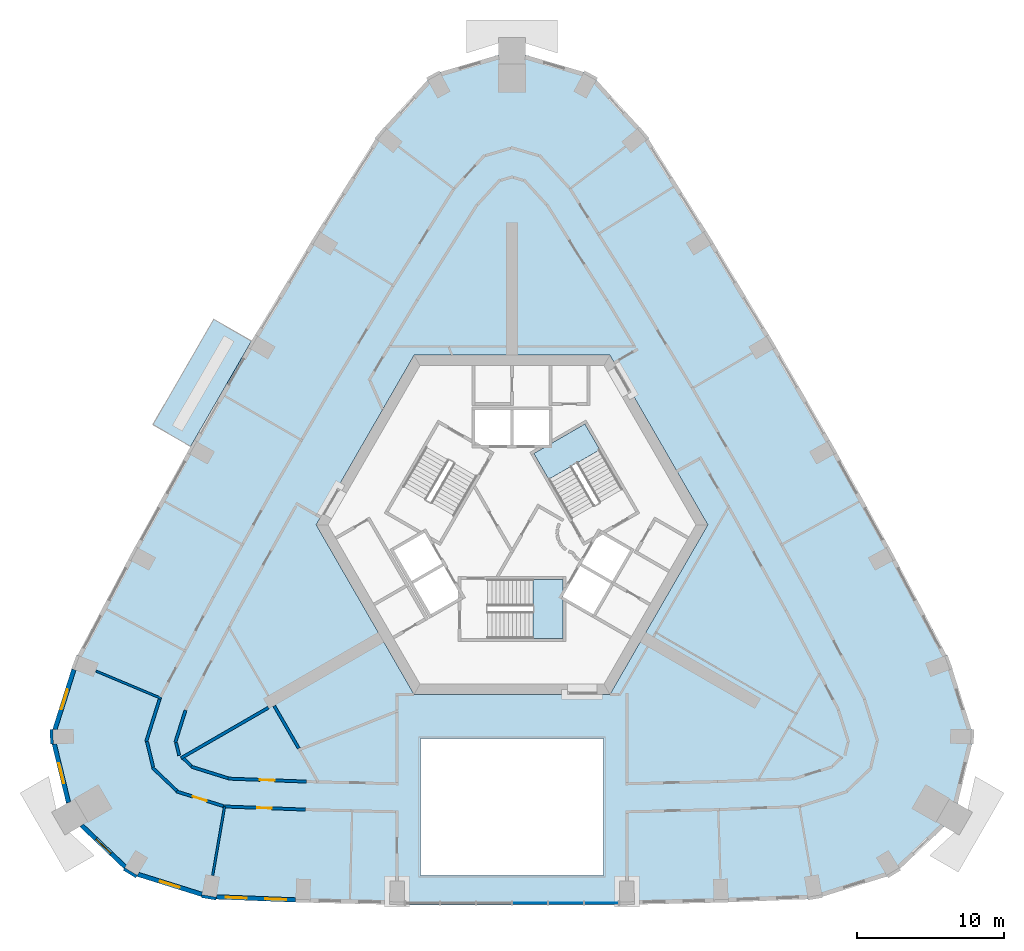
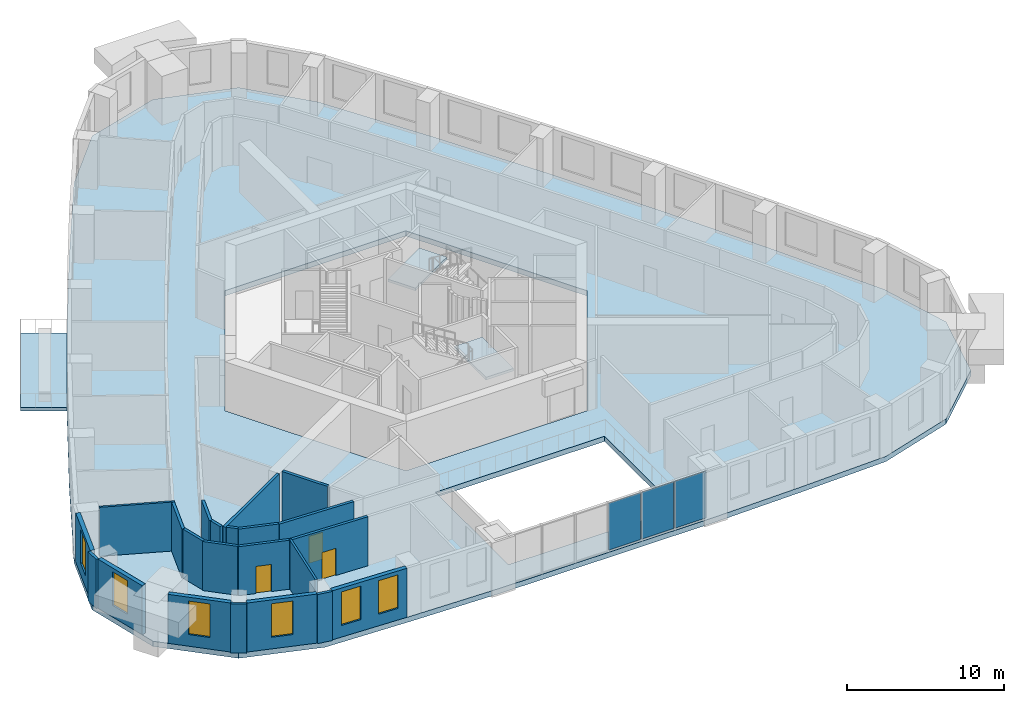
# One storey, part 3 of 13: 22 walls, 6 windows, 4 slabs, 3 doors, 3 plates, 9 openings, 3 elements without a shape of their own.
"""IFC4 building model written with IfcOpenShell, lengths in metres."""

from ifc_helpers import new_model, si_unit, direction, frame, frame_2d, origin, origin_2d, place, context, subcontext, project, spatial, polyline, rectangle, outline, extrude, material, layer, layer_set, type_object, element, fill, aggregate, save


model = new_model("IFC4")

# Units and contexts
model_context = context("Model", 3, precision=1e-05, world=origin(), true_north=direction((0.0, 1.0)))
body_context = subcontext(model_context, "Body", "Model", "MODEL_VIEW")
ifc_project = project(units=[si_unit("LENGTHUNIT", "METRE"), si_unit("AREAUNIT", "SQUARE_METRE"), si_unit("VOLUMEUNIT", "CUBIC_METRE"), si_unit("PLANEANGLEUNIT", "RADIAN"), si_unit("MASSUNIT", "GRAM", prefix="KILO")], contexts=[model_context])

# Site, building, storey
site_placement = place(None, origin())
site = spatial("IfcSite", under=ifc_project, at=site_placement, CompositionType="ELEMENT")
building_placement = place(site_placement, origin())
building = spatial("IfcBuilding", under=site, at=building_placement, Name="Entoto Arch Interchange Tower", CompositionType="ELEMENT")
storey_placement = place(building_placement, frame((0.0, 0.0, 223.39990234375)))
storey = spatial("IfcBuildingStorey", under=building, at=storey_placement, Name="L50", CompositionType="ELEMENT", Elevation=223.39990234375)

# Slab
ifc_material_1 = material(Name="Board-marked precast concrete C50/60", Category="concrete")
ifc_layer_1 = layer(ifc_material_1, 0.25)
ifc_layer_set_1 = layer_set([ifc_layer_1], Name="Board-marked precast concrete C50/60")
slab_type_1 = type_object("IfcSlabType", Name="BALCONY DECK PRECAST 250", PredefinedType="FLOOR", material=ifc_layer_set_1)
slab_1_placement = place(storey_placement, frame((0.0, 0.0, -0.25)))
element("IfcSlab", 1, at=slab_1_placement, inside=storey, type_object=slab_type_1, Name="Planted balcony NW-03 L50", PredefinedType="FLOOR", context=body_context, shape_type="SweptSolid", body=[
    extrude(outline(polyline([(-17.6669921875, 14.9619140625), (-21.791015625, 7.819091796875), (-24.345947265625, 9.2939453125), (-20.221923828125, 16.43701171875), (-17.6669921875, 14.9619140625)])), origin(), (0.0, 0.0, 1.0), 0.25),
])

# Stair, slab
ifc_material_2 = material(Name="Concrete C40/50", Category="concrete")
stair_type = type_object("IfcStairType", Name="EXIT STAIR RC 1800", PredefinedType="HALF_TURN_STAIR", material=ifc_material_2)
stair_1_placement = place(storey_placement, origin())
stair_1 = element("IfcStair", 2, at=stair_1_placement, inside=storey, type_object=stair_type, Name="L50 Exit stair S", PredefinedType="HALF_TURN_STAIR")
ifc_layer_2 = layer(ifc_material_2, 0.199951171875)
ifc_layer_set_2 = layer_set([ifc_layer_2], Name="Concrete C40/50")
slab_type_2 = type_object("IfcSlabType", Name="EXIT STAIR LANDING RC 200", PredefinedType="LANDING", material=ifc_layer_set_2)
slab_2_placement = place(storey_placement, frame((0.0, 0.0, 1.900146484375)))
slab_2 = element("IfcSlab", 3, at=slab_2_placement, type_object=slab_type_2, Name="ST-S landing 1", PredefinedType="LANDING", context=body_context, shape_type="SweptSolid", body=[
    extrude(outline(polyline([(1.429931640625, -5.199951171875), (3.449951171875, -5.199951171875), (3.449951171875, -1.199951171875), (1.429931640625, -1.199951171875), (1.429931640625, -5.199951171875)])), origin(), (0.0, 0.0, 1.0), 0.199951171875),
])
aggregate(stair_1, [slab_2])

stair_2_placement = place(storey_placement, origin())
stair_2 = element("IfcStair", 4, at=stair_2_placement, inside=storey, type_object=stair_type, Name="L50 Exit stair NE", PredefinedType="HALF_TURN_STAIR")
slab_3_placement = place(storey_placement, frame((0.0, 0.0, 1.900146484375)))
slab_3 = element("IfcSlab", 5, at=slab_3_placement, type_object=slab_type_2, Name="ST-NE landing 1", PredefinedType="LANDING", context=body_context, shape_type="SweptSolid", body=[
    extrude(outline(polyline([(5.953369140625, 7.58837890625), (4.943359375, 9.337890625), (1.479248046875, 7.337890625), (2.4892578125, 5.58837890625), (5.953369140625, 7.58837890625)])), origin(), (0.0, 0.0, 1.0), 0.199951171875),
])
aggregate(stair_2, [slab_3])

# Curtain wall, plates
ifc_material_3 = material(Name="Aluminium, anodised", Category="aluminium")
curtain_wall_type = type_object("IfcCurtainWallType", Name="CURTAIN WALL ATRIUM", PredefinedType="NOTDEFINED", material=ifc_material_3)
curtain_wall_placement = place(storey_placement, origin())
curtain_wall = element("IfcCurtainWall", 6, at=curtain_wall_placement, inside=storey, type_object=curtain_wall_type, Name="Atrium glazing S-03 L50", PredefinedType="NOTDEFINED")
ifc_material_4 = material(Name="Clear glass, low-e double glazed", Category="glass")
ifc_layer_3 = layer(ifc_material_4, 0.031982421875)
ifc_layer_set_3 = layer_set([ifc_layer_3], Name="Clear glass, low-e double glazed")
plate_type = type_object("IfcPlateType", Name="GLAZING PANEL ATRIUM 32", PredefinedType="CURTAIN_PANEL", material=ifc_layer_set_3)
plate_1_placement = place(storey_placement, frame((1.216552734375, -23.135986328125, 0.080078125), z_axis=(0.0, 0.0, 1.0), x_axis=(1.0, 0.0, 0.0)))
plate_1 = element("IfcPlate", 7, at=plate_1_placement, type_object=plate_type, Name="CWA panel 4.1", PredefinedType="CURTAIN_PANEL", context=body_context, shape_type="SweptSolid", body=[
    extrude(rectangle(XDim=2.3330078125, YDim=0.031982421875, at=origin_2d()), origin(), (0.0, 0.0, 1.0), 3.639892578125),
])
plate_2_placement = place(storey_placement, frame((3.6494140625, -23.135986328125, 0.080078125), z_axis=(0.0, 0.0, 1.0), x_axis=(1.0, 0.0, 0.0)))
plate_2 = element("IfcPlate", 8, at=plate_2_placement, type_object=plate_type, Name="CWA panel 5.1", PredefinedType="CURTAIN_PANEL", context=body_context, shape_type="SweptSolid", body=[
    extrude(rectangle(XDim=2.3330078125, YDim=0.031982421875, at=origin_2d()), origin(), (0.0, 0.0, 1.0), 3.639892578125),
])
plate_3_placement = place(storey_placement, frame((6.0576171875, -23.135986328125, 0.080078125), z_axis=(0.0, 0.0, 1.0), x_axis=(1.0, 0.0, 0.0)))
plate_3 = element("IfcPlate", 9, at=plate_3_placement, type_object=plate_type, Name="CWA panel 6.1", PredefinedType="CURTAIN_PANEL", context=body_context, shape_type="SweptSolid", body=[
    extrude(rectangle(XDim=2.282958984375, YDim=0.031982421875, at=origin_2d()), origin(), (0.0, 0.0, 1.0), 3.639892578125),
])
aggregate(curtain_wall, [plate_1, plate_2, plate_3])

# Slab
ifc_layer_4 = layer(ifc_material_2, 0.39990234375)
ifc_layer_set_4 = layer_set([ifc_layer_4], Name="Concrete C40/50")
slab_type_3 = type_object("IfcSlabType", Name="Post-tensioned flat plate 400 C40/50", PredefinedType="FLOOR", material=ifc_layer_set_4)
slab_4_placement = place(storey_placement, frame((0.0, 0.0, -0.39990234375)))
element("IfcSlab", 10, at=slab_4_placement, inside=storey, type_object=slab_type_3, Name="Floor slab L50", PredefinedType="FLOOR", context=body_context, shape_type="SweptSolid", body=[
    extrude(outline(polyline([(-20.569091796875, -22.862060546875), (-14.18505859375, -23.10693359375), (-7.800048828125, -23.260986328125), (7.800048828125, -23.260986328125), (14.18505859375, -23.10693359375), (20.569091796875, -22.862060546875), (25.93798828125, -21.179931640625), (29.991943359375, -17.31591796875), (31.31201171875, -11.873046875), (29.699951171875, -6.7880859375), (25.784912109375, 0.60205078125), (21.791015625, 7.819091796875), (17.6669921875, 14.9619140625), (13.4140625, 22.030029296875), (8.970947265625, 29.114990234375), (5.373046875, 33.052978515625), (0.0, 34.632080078125), (-5.373046875, 33.052978515625), (-8.970947265625, 29.114990234375), (-13.4140625, 22.030029296875), (-17.6669921875, 14.9619140625), (-21.791015625, 7.819091796875), (-25.784912109375, 0.60205078125), (-29.699951171875, -6.7880859375), (-31.31201171875, -11.873046875), (-29.991943359375, -17.31591796875), (-25.93798828125, -21.179931640625), (-20.569091796875, -22.862060546875)]), holes=[polyline([(6.199951171875, -21.260986328125), (6.199951171875, -12.0), (-6.199951171875, -12.0), (-6.199951171875, -21.260986328125), (6.199951171875, -21.260986328125)]), polyline([(13.279052734375, 2.5), (6.639892578125, 14.0), (-6.639892578125, 14.0), (-13.279052734375, 2.5), (-6.639892578125, -9.0), (6.639892578125, -9.0), (13.279052734375, 2.5)])]), origin(), (0.0, 0.0, 1.0), 0.39990234375),
])

# Walls
ifc_material_5 = material(Name="Gypsum board partition on steel studs", Category="steel")
ifc_layer_5 = layer(ifc_material_5, 0.14990234375)
ifc_layer_set_5 = layer_set([ifc_layer_5], Name="Gypsum board partition on steel studs")
wall_type_1 = type_object("IfcWallType", Name="PARTITION 150", PredefinedType="PARTITIONING", material=ifc_layer_set_5)
wall_1_placement = place(storey_placement, frame((-23.77392578125, -9.27294921875, 0.0), z_axis=(0.0, 0.0, 1.0), x_axis=(-0.922217762148, 0.386670918454, 0.0)))
element("IfcWall", 11, at=wall_1_placement, inside=storey, type_object=wall_type_1, Name="wall:L50:p128", PredefinedType="PARTITIONING", context=body_context, shape_type="SweptSolid", body=[
    extrude(rectangle(XDim=4.804931640625, YDim=0.14990234375, at=frame_2d((2.40234375, 0.0))), origin(), (0.0, 0.0, 1.0), 3.800048828125),
])
wall_2_placement = place(storey_placement, frame((-19.488037109375, -16.59912109375, 0.0), z_axis=(0.0, 0.0, 1.0), x_axis=(-0.169963884325, -0.985450292011, 0.0)))
element("IfcWall", 12, at=wall_2_placement, inside=storey, type_object=wall_type_1, Name="wall:L50:p129", PredefinedType="PARTITIONING", context=body_context, shape_type="SweptSolid", body=[
    extrude(rectangle(XDim=4.73583984375, YDim=0.14990234375, at=frame_2d((2.367919921875, 0.0))), origin(), (0.0, 0.0, 1.0), 3.800048828125),
])
ifc_layer_6 = layer(ifc_material_5, 0.199951171875)
ifc_layer_set_6 = layer_set([ifc_layer_6], Name="Gypsum board partition on steel studs")
wall_type_2 = type_object("IfcWallType", Name="PARTITION 200", PredefinedType="PARTITIONING", material=ifc_layer_set_6)
wall_3_placement = place(storey_placement, frame((-22.136962890625, -10.06689453125, 0.0), z_axis=(0.0, 0.0, 1.0), x_axis=(-0.302262657712, -0.953224677478, 0.0)))
element("IfcWall", 13, at=wall_3_placement, inside=storey, type_object=wall_type_2, Name="wall:L50:p029", PredefinedType="PARTITIONING", context=body_context, shape_type="SweptSolid", body=[
    extrude(rectangle(XDim=2.302734375, YDim=0.199951171875, at=frame_2d((1.1513671875, 0.0))), origin(), (0.0, 0.0, 1.0), 3.800048828125),
])
wall_4_placement = place(storey_placement, frame((-22.779052734375, -12.263916015625, 0.0), z_axis=(0.0, 0.0, 1.0), x_axis=(0.2356388299, -0.971840697771, 0.0)))
element("IfcWall", 14, at=wall_4_placement, inside=storey, type_object=wall_type_2, Name="wall:L50:p030", PredefinedType="PARTITIONING", context=body_context, shape_type="SweptSolid", body=[
    extrude(rectangle(XDim=0.900390625, YDim=0.199951171875, at=frame_2d((0.4501953125, 0.0))), origin(), (0.0, 0.0, 1.0), 3.800048828125),
])
wall_5_placement = place(storey_placement, frame((-22.281005859375, -13.3369140625, 0.0), z_axis=(0.0, 0.0, 1.0), x_axis=(0.723443840005, -0.690383234413, 0.0)))
element("IfcWall", 15, at=wall_5_placement, inside=storey, type_object=wall_type_2, Name="wall:L50:p031", PredefinedType="PARTITIONING", context=body_context, shape_type="SweptSolid", body=[
    extrude(rectangle(XDim=0.753173828125, YDim=0.199951171875, at=frame_2d((0.37646484375, 0.0))), origin(), (0.0, 0.0, 1.0), 3.800048828125),
])
wall_6_placement = place(storey_placement, frame((-21.759033203125, -13.89599609375, 0.0), z_axis=(0.0, 0.0, 1.0), x_axis=(0.954254371194, -0.298995978328, 0.0)))
element("IfcWall", 16, at=wall_6_placement, inside=storey, type_object=wall_type_2, Name="wall:L50:p032", PredefinedType="PARTITIONING", context=body_context, shape_type="SweptSolid", body=[
    extrude(rectangle(XDim=2.621826171875, YDim=0.199951171875, at=frame_2d((1.31103515625, 0.0))), origin(), (0.0, 0.0, 1.0), 3.800048828125),
])

# Wall, opening, door
wall_7_placement = place(storey_placement, frame((-19.260986328125, -14.7060546875, 0.0), z_axis=(0.0, 0.0, 1.0), x_axis=(0.999262930749, -0.038387435847, 0.0)))
wall_7 = element("IfcWall", 17, at=wall_7_placement, inside=storey, type_object=wall_type_2, Name="wall:L50:p033", PredefinedType="PARTITIONING", context=body_context, shape_type="SweptSolid", body=[
    extrude(rectangle(XDim=5.3359375, YDim=0.199951171875, at=frame_2d((2.66796875, 0.0))), origin(), (0.0, 0.0, 1.0), 3.800048828125),
])
opening_1_placement = place(wall_7_placement, frame((2.16796875, 0.0, 0.0)))
opening_1 = element("IfcOpeningElement", 18, at=opening_1_placement, cuts=wall_7, Name="Opening L50-D24", PredefinedType="OPENING", context=body_context, shape_type="SweptSolid", body=[
    extrude(rectangle(XDim=1.0, YDim=2.10009765625, at=frame_2d((0.5, 1.050048828125))), frame((0.0, 0.10986328125, 0.0), z_axis=(0.0, -1.0, 0.0), x_axis=(1.0, 0.0, 0.0)), (0.0, 0.0, 1.0), 0.219970703125),
])
ifc_material_6 = material(Name="Timber door leaf in Steel S235 frame", Category="steel")
door_type = type_object("IfcDoorType", Name="DOOR DS-10 1000x2100", OperationType="SINGLE_SWING_LEFT", PredefinedType="DOOR", material=ifc_material_6)
door_1_placement = place(opening_1_placement, origin())
door_1 = element("IfcDoor", 19, at=door_1_placement, inside=storey, type_object=door_type, Name="door:L50:24", OperationType="SINGLE_SWING_LEFT", OverallHeight=2.10009765625, OverallWidth=1.0, PredefinedType="DOOR", context=body_context, shape_type="SweptSolid", body=[
    extrude(rectangle(XDim=1.0, YDim=2.10009765625, at=frame_2d((0.5, 1.050048828125))), frame((0.0, 0.02490234375, 0.0), z_axis=(0.0, -1.0, 0.0), x_axis=(1.0, 0.0, 0.0)), (0.0, 0.0, 1.0), 0.050048828125),
])
fill(opening_1, door_1)

wall_8_placement = place(storey_placement, frame((-19.5830078125, -16.569091796875, 0.0), z_axis=(0.0, 0.0, 1.0), x_axis=(-0.954238750745, 0.299045826884, 0.0)))
wall_8 = element("IfcWall", 20, at=wall_8_placement, inside=storey, type_object=wall_type_2, Name="wall:L50:p060", PredefinedType="PARTITIONING", context=body_context, shape_type="SweptSolid", body=[
    extrude(rectangle(XDim=3.31787109375, YDim=0.199951171875, at=frame_2d((1.658935546875, 0.0))), origin(), (0.0, 0.0, 1.0), 3.800048828125),
])
opening_2_placement = place(wall_8_placement, frame((1.158935546875, 0.0, 0.0)))
opening_2 = element("IfcOpeningElement", 21, at=opening_2_placement, cuts=wall_8, Name="Opening L50-D13", PredefinedType="OPENING", context=body_context, shape_type="SweptSolid", body=[
    extrude(rectangle(XDim=1.0, YDim=2.10009765625, at=frame_2d((0.5, 1.050048828125))), frame((0.0, 0.10986328125, 0.0), z_axis=(0.0, -1.0, 0.0), x_axis=(1.0, 0.0, 0.0)), (0.0, 0.0, 1.0), 0.219970703125),
])
door_2_placement = place(opening_2_placement, origin())
door_2 = element("IfcDoor", 22, at=door_2_placement, inside=storey, type_object=door_type, Name="door:L50:13", OperationType="SINGLE_SWING_RIGHT", OverallHeight=2.10009765625, OverallWidth=1.0, PredefinedType="DOOR", context=body_context, shape_type="SweptSolid", body=[
    extrude(rectangle(XDim=1.0, YDim=2.10009765625, at=frame_2d((0.5, 1.050048828125))), frame((0.0, 0.02490234375, 0.0), z_axis=(0.0, -1.0, 0.0), x_axis=(1.0, 0.0, 0.0)), (0.0, 0.0, 1.0), 0.050048828125),
])
fill(opening_2, door_2)

# Walls
wall_9_placement = place(storey_placement, frame((-22.72607421875, -15.5380859375, 0.0), z_axis=(0.0, 0.0, 1.0), x_axis=(-0.723967420116, 0.689834164571, 0.0)))
element("IfcWall", 23, at=wall_9_placement, inside=storey, type_object=wall_type_2, Name="wall:L50:p061", PredefinedType="PARTITIONING", context=body_context, shape_type="SweptSolid", body=[
    extrude(rectangle(XDim=2.28173828125, YDim=0.199951171875, at=frame_2d((1.140869140625, 0.0))), origin(), (0.0, 0.0, 1.0), 3.800048828125),
])
wall_10_placement = place(storey_placement, frame((-24.3291015625, -13.93505859375, 0.0), z_axis=(0.0, 0.0, 1.0), x_axis=(-0.235756216468, 0.971812227952, 0.0)))
element("IfcWall", 24, at=wall_10_placement, inside=storey, type_object=wall_type_2, Name="wall:L50:p062", PredefinedType="PARTITIONING", context=body_context, shape_type="SweptSolid", body=[
    extrude(rectangle(XDim=1.78955078125, YDim=0.199951171875, at=frame_2d((0.894775390625, 0.0))), origin(), (0.0, 0.0, 1.0), 3.800048828125),
])
wall_11_placement = place(storey_placement, frame((-24.804931640625, -12.194091796875, 0.0), z_axis=(0.0, 0.0, 1.0), x_axis=(0.302200639646, 0.953244340868, 0.0)))
element("IfcWall", 25, at=wall_11_placement, inside=storey, type_object=wall_type_2, Name="wall:L50:p063", PredefinedType="PARTITIONING", context=body_context, shape_type="SweptSolid", body=[
    extrude(rectangle(XDim=3.00439453125, YDim=0.199951171875, at=frame_2d((1.502197265625, 0.0))), origin(), (0.0, 0.0, 1.0), 3.800048828125),
])

# Wall, opening, door
wall_12_placement = place(storey_placement, frame((-13.988037109375, -16.81005859375, 0.0), z_axis=(0.0, 0.0, 1.0), x_axis=(-0.999263168163, 0.038381255227, 0.0)))
wall_12 = element("IfcWall", 26, at=wall_12_placement, inside=storey, type_object=wall_type_2, Name="wall:L50:p065", PredefinedType="PARTITIONING", context=body_context, shape_type="SweptSolid", body=[
    extrude(rectangle(XDim=5.60400390625, YDim=0.199951171875, at=frame_2d((2.802001953125, 0.0))), origin(), (0.0, 0.0, 1.0), 3.800048828125),
])
opening_3_placement = place(wall_12_placement, frame((2.302001953125, 0.0, 0.0)))
opening_3 = element("IfcOpeningElement", 27, at=opening_3_placement, cuts=wall_12, Name="Opening L50-D14", PredefinedType="OPENING", context=body_context, shape_type="SweptSolid", body=[
    extrude(rectangle(XDim=1.0, YDim=2.10009765625, at=frame_2d((0.5, 1.050048828125))), frame((0.0, 0.10986328125, 0.0), z_axis=(0.0, -1.0, 0.0), x_axis=(1.0, 0.0, 0.0)), (0.0, 0.0, 1.0), 0.219970703125),
])
door_3_placement = place(opening_3_placement, origin())
door_3 = element("IfcDoor", 28, at=door_3_placement, inside=storey, type_object=door_type, Name="door:L50:14", OperationType="SINGLE_SWING_LEFT", OverallHeight=2.10009765625, OverallWidth=1.0, PredefinedType="DOOR", context=body_context, shape_type="SweptSolid", body=[
    extrude(rectangle(XDim=1.0, YDim=2.10009765625, at=frame_2d((0.5, 1.050048828125))), frame((0.0, 0.02490234375, 0.0), z_axis=(0.0, -1.0, 0.0), x_axis=(1.0, 0.0, 0.0)), (0.0, 0.0, 1.0), 0.050048828125),
])
fill(opening_3, door_3)

# Walls
wall_13_placement = place(storey_placement, frame((-14.45703125, -12.659912109375, 0.0), z_axis=(0.0, 0.0, 1.0), x_axis=(-0.49997268395, 0.866041174139, 0.0)))
element("IfcWall", 29, at=wall_13_placement, inside=storey, type_object=wall_type_2, Name="wall:L50:p114", PredefinedType="PARTITIONING", context=body_context, shape_type="SweptSolid", body=[
    extrude(rectangle(XDim=3.322021484375, YDim=0.199951171875, at=frame_2d((1.6611328125, 0.0))), origin(), (0.0, 0.0, 1.0), 3.800048828125),
])
wall_14_placement = place(storey_placement, frame((-16.513916015625, -9.89697265625, 0.0), z_axis=(0.0, 0.0, 1.0), x_axis=(-0.866041209536, -0.499972622635, 0.0)))
element("IfcWall", 30, at=wall_14_placement, inside=storey, type_object=wall_type_2, Name="wall:L50:p116", PredefinedType="PARTITIONING", context=body_context, shape_type="SweptSolid", body=[
    extrude(rectangle(XDim=6.8427734375, YDim=0.199951171875, at=frame_2d((3.42138671875, 0.0))), origin(), (0.0, 0.0, 1.0), 3.800048828125),
])

# Wall, openings, windows
ifc_material_7 = material(Name="Welded tuff (ignimbrite) cladding, warm buff", Category="masonry")
ifc_layer_7 = layer(ifc_material_7, 0.300048828125)
ifc_layer_set_7 = layer_set([ifc_layer_7], Name="Welded tuff (ignimbrite) cladding, warm buff")
wall_type_3 = type_object("IfcWallType", Name="STONE INFILL WALL 300", PredefinedType="STANDARD", material=ifc_layer_set_7)
wall_15_placement = place(storey_placement, frame((-20.0400390625, -22.73193359375, 0.0), z_axis=(0.0, 0.0, 1.0), x_axis=(0.99926218254, -0.038406907512, 0.0)))
wall_15 = element("IfcWall", 31, at=wall_15_placement, inside=storey, type_object=wall_type_3, Name="Facade wall S-01 L50", PredefinedType="STANDARD", context=body_context, shape_type="SweptSolid", body=[
    extrude(rectangle(XDim=5.364990234375, YDim=0.300048828125, at=frame_2d((2.6826171875, 0.0))), origin(), (0.0, 0.0, 1.0), 3.800048828125),
])
opening_4_placement = place(wall_15_placement, frame((0.64111328125, 0.0, 0.89990234375)))
opening_4 = element("IfcOpeningElement", 32, at=opening_4_placement, cuts=wall_15, Name="Opening WO-B", PredefinedType="OPENING", context=body_context, shape_type="SweptSolid", body=[
    extrude(rectangle(XDim=1.39990234375, YDim=2.60009765625, at=frame_2d((0.699951171875, 1.300048828125))), frame((0.0, 0.16015625, 0.0), z_axis=(0.0, -1.0, 0.0), x_axis=(1.0, 0.0, 0.0)), (0.0, 0.0, 1.0), 0.320068359375),
])
opening_5_placement = place(wall_15_placement, frame((3.323974609375, 0.0, 0.89990234375)))
opening_5 = element("IfcOpeningElement", 33, at=opening_5_placement, cuts=wall_15, Name="Opening WO-B", PredefinedType="OPENING", context=body_context, shape_type="SweptSolid", body=[
    extrude(rectangle(XDim=1.39990234375, YDim=2.60009765625, at=frame_2d((0.699951171875, 1.300048828125))), frame((0.0, 0.16015625, 0.0), z_axis=(0.0, -1.0, 0.0), x_axis=(1.0, 0.0, 0.0)), (0.0, 0.0, 1.0), 0.320068359375),
])
window_type = type_object("IfcWindowType", Name="WINDOW WO-B 1400x2600", PartitioningType="DOUBLE_PANEL_VERTICAL", PredefinedType="WINDOW", material=ifc_material_4)
window_1_placement = place(opening_4_placement, origin())
window_1 = element("IfcWindow", 34, at=window_1_placement, inside=storey, type_object=window_type, Name="Window WO-B S-01 L50", OverallHeight=2.60009765625, OverallWidth=1.39990234375, PartitioningType="SINGLE_PANEL", PredefinedType="WINDOW", context=body_context, shape_type="SweptSolid", body=[
    extrude(rectangle(XDim=1.39990234375, YDim=2.60009765625, at=frame_2d((0.699951171875, 1.300048828125))), frame((0.0, 0.030029296875, 0.0), z_axis=(0.0, -1.0, 0.0), x_axis=(1.0, 0.0, 0.0)), (0.0, 0.0, 1.0), 0.06005859375),
])
fill(opening_4, window_1)
window_2_placement = place(opening_5_placement, origin())
window_2 = element("IfcWindow", 35, at=window_2_placement, inside=storey, type_object=window_type, Name="Window WO-B S-01 L50", OverallHeight=2.60009765625, OverallWidth=1.39990234375, PartitioningType="SINGLE_PANEL", PredefinedType="WINDOW", context=body_context, shape_type="SweptSolid", body=[
    extrude(rectangle(XDim=1.39990234375, YDim=2.60009765625, at=frame_2d((0.699951171875, 1.300048828125))), frame((0.0, 0.030029296875, 0.0), z_axis=(0.0, -1.0, 0.0), x_axis=(1.0, 0.0, 0.0)), (0.0, 0.0, 1.0), 0.06005859375),
])
fill(opening_5, window_2)

# Wall, opening, window
wall_16_placement = place(storey_placement, frame((-29.7099609375, -7.31591796875, 0.0), z_axis=(0.0, 0.0, 1.0), x_axis=(-0.302195467572, -0.953245980521, 0.0)))
wall_16 = element("IfcWall", 36, at=wall_16_placement, inside=storey, type_object=wall_type_3, Name="Facade wall SW-01 L50", PredefinedType="STANDARD", context=body_context, shape_type="SweptSolid", body=[
    extrude(rectangle(XDim=4.248779296875, YDim=0.300048828125, at=frame_2d((2.12451171875, 0.0))), origin(), (0.0, 0.0, 1.0), 3.800048828125),
])
opening_6_placement = place(wall_16_placement, frame((1.424072265625, 0.0, 0.89990234375)))
opening_6 = element("IfcOpeningElement", 37, at=opening_6_placement, cuts=wall_16, Name="Opening WO-B", PredefinedType="OPENING", context=body_context, shape_type="SweptSolid", body=[
    extrude(rectangle(XDim=1.39990234375, YDim=2.60009765625, at=frame_2d((0.699951171875, 1.300048828125))), frame((0.0, 0.16015625, 0.0), z_axis=(0.0, -1.0, 0.0), x_axis=(1.0, 0.0, 0.0)), (0.0, 0.0, 1.0), 0.320068359375),
])
window_3_placement = place(opening_6_placement, origin())
window_3 = element("IfcWindow", 38, at=window_3_placement, inside=storey, type_object=window_type, Name="Window WO-B SW-01 L50", OverallHeight=2.60009765625, OverallWidth=1.39990234375, PartitioningType="SINGLE_PANEL", PredefinedType="WINDOW", context=body_context, shape_type="SweptSolid", body=[
    extrude(rectangle(XDim=1.39990234375, YDim=2.60009765625, at=frame_2d((0.699951171875, 1.300048828125))), frame((0.0, 0.030029296875, 0.0), z_axis=(0.0, -1.0, 0.0), x_axis=(1.0, 0.0, 0.0)), (0.0, 0.0, 1.0), 0.06005859375),
])
fill(opening_6, window_3)

wall_17_placement = place(storey_placement, frame((-31.0380859375, -12.364990234375, 0.0), z_axis=(0.0, 0.0, 1.0), x_axis=(0.235766276378, -0.971809787419, 0.0)))
wall_17 = element("IfcWall", 39, at=wall_17_placement, inside=storey, type_object=wall_type_3, Name="Facade wall SW-02 L50", PredefinedType="STANDARD", context=body_context, shape_type="SweptSolid", body=[
    extrude(rectangle(XDim=4.076904296875, YDim=0.300048828125, at=frame_2d((2.03857421875, 0.0))), origin(), (0.0, 0.0, 1.0), 3.800048828125),
])
opening_7_placement = place(wall_17_placement, frame((1.337890625, 0.0, 0.89990234375)))
opening_7 = element("IfcOpeningElement", 40, at=opening_7_placement, cuts=wall_17, Name="Opening WO-B", PredefinedType="OPENING", context=body_context, shape_type="SweptSolid", body=[
    extrude(rectangle(XDim=1.39990234375, YDim=2.60009765625, at=frame_2d((0.699951171875, 1.300048828125))), frame((0.0, 0.16015625, 0.0), z_axis=(0.0, -1.0, 0.0), x_axis=(1.0, 0.0, 0.0)), (0.0, 0.0, 1.0), 0.320068359375),
])
window_4_placement = place(opening_7_placement, origin())
window_4 = element("IfcWindow", 41, at=window_4_placement, inside=storey, type_object=window_type, Name="Window WO-B SW-02 L50", OverallHeight=2.60009765625, OverallWidth=1.39990234375, PartitioningType="SINGLE_PANEL", PredefinedType="WINDOW", context=body_context, shape_type="SweptSolid", body=[
    extrude(rectangle(XDim=1.39990234375, YDim=2.60009765625, at=frame_2d((0.699951171875, 1.300048828125))), frame((0.0, 0.030029296875, 0.0), z_axis=(0.0, -1.0, 0.0), x_axis=(1.0, 0.0, 0.0)), (0.0, 0.0, 1.0), 0.06005859375),
])
fill(opening_7, window_4)

wall_18_placement = place(storey_placement, frame((-29.177978515625, -17.884033203125, 0.0), z_axis=(0.0, 0.0, 1.0), x_axis=(0.723707630873, -0.69010670553, 0.0)))
wall_18 = element("IfcWall", 42, at=wall_18_placement, inside=storey, type_object=wall_type_3, Name="Facade wall SW-03 L50", PredefinedType="STANDARD", context=body_context, shape_type="SweptSolid", body=[
    extrude(rectangle(XDim=4.076171875, YDim=0.300048828125, at=frame_2d((2.0380859375, 0.0))), origin(), (0.0, 0.0, 1.0), 3.800048828125),
])
opening_8_placement = place(wall_18_placement, frame((1.337890625, 0.0, 0.89990234375)))
opening_8 = element("IfcOpeningElement", 43, at=opening_8_placement, cuts=wall_18, Name="Opening WO-B", PredefinedType="OPENING", context=body_context, shape_type="SweptSolid", body=[
    extrude(rectangle(XDim=1.39990234375, YDim=2.60009765625, at=frame_2d((0.699951171875, 1.300048828125))), frame((0.0, 0.16015625, 0.0), z_axis=(0.0, -1.0, 0.0), x_axis=(1.0, 0.0, 0.0)), (0.0, 0.0, 1.0), 0.320068359375),
])
window_5_placement = place(opening_8_placement, origin())
window_5 = element("IfcWindow", 44, at=window_5_placement, inside=storey, type_object=window_type, Name="Window WO-B SW-03 L50", OverallHeight=2.60009765625, OverallWidth=1.39990234375, PartitioningType="SINGLE_PANEL", PredefinedType="WINDOW", context=body_context, shape_type="SweptSolid", body=[
    extrude(rectangle(XDim=1.39990234375, YDim=2.60009765625, at=frame_2d((0.699951171875, 1.300048828125))), frame((0.0, 0.030029296875, 0.0), z_axis=(0.0, -1.0, 0.0), x_axis=(1.0, 0.0, 0.0)), (0.0, 0.0, 1.0), 0.06005859375),
])
fill(opening_8, window_5)

wall_19_placement = place(storey_placement, frame((-25.366943359375, -21.201904296875, 0.0), z_axis=(0.0, 0.0, 1.0), x_axis=(0.954297481837, -0.298858354675, 0.0)))
wall_19 = element("IfcWall", 45, at=wall_19_placement, inside=storey, type_object=wall_type_3, Name="Facade wall SW-04 L50", PredefinedType="STANDARD", context=body_context, shape_type="SweptSolid", body=[
    extrude(rectangle(XDim=4.551025390625, YDim=0.300048828125, at=frame_2d((2.275390625, 0.0))), origin(), (0.0, 0.0, 1.0), 3.800048828125),
])
opening_9_placement = place(wall_19_placement, frame((1.574951171875, 0.0, 0.89990234375)))
opening_9 = element("IfcOpeningElement", 46, at=opening_9_placement, cuts=wall_19, Name="Opening WO-B", PredefinedType="OPENING", context=body_context, shape_type="SweptSolid", body=[
    extrude(rectangle(XDim=1.39990234375, YDim=2.60009765625, at=frame_2d((0.699951171875, 1.300048828125))), frame((0.0, 0.16015625, 0.0), z_axis=(0.0, -1.0, 0.0), x_axis=(1.0, 0.0, 0.0)), (0.0, 0.0, 1.0), 0.320068359375),
])
window_6_placement = place(opening_9_placement, origin())
window_6 = element("IfcWindow", 47, at=window_6_placement, inside=storey, type_object=window_type, Name="Window WO-B SW-04 L50", OverallHeight=2.60009765625, OverallWidth=1.39990234375, PartitioningType="SINGLE_PANEL", PredefinedType="WINDOW", context=body_context, shape_type="SweptSolid", body=[
    extrude(rectangle(XDim=1.39990234375, YDim=2.60009765625, at=frame_2d((0.699951171875, 1.300048828125))), frame((0.0, 0.030029296875, 0.0), z_axis=(0.0, -1.0, 0.0), x_axis=(1.0, 0.0, 0.0)), (0.0, 0.0, 1.0), 0.06005859375),
])
fill(opening_9, window_6)

# Walls
ifc_layer_8 = layer(ifc_material_7, 0.199951171875)
ifc_layer_set_8 = layer_set([ifc_layer_8], Name="Welded tuff (ignimbrite) cladding, warm buff")
wall_type_4 = type_object("IfcWallType", Name="STONE PIER CLADDING 200", PredefinedType="STANDARD", material=ifc_layer_set_8)
wall_20_placement = place(storey_placement, frame((-21.044921875, -22.678955078125, 0.0), z_axis=(0.0, 0.0, 1.0), x_axis=(0.985631544579, -0.168909615862, 0.0)))
element("IfcWall", 48, at=wall_20_placement, inside=storey, type_object=wall_type_4, Name="Stone pier S01 L50", PredefinedType="STANDARD", context=body_context, shape_type="SweptSolid", body=[
    extrude(rectangle(XDim=1.000244140625, YDim=0.199951171875, at=frame_2d((0.5, 0.0))), origin(), (0.0, 0.0, 1.0), 3.800048828125),
])
wall_21_placement = place(storey_placement, frame((-31.22412109375, -11.37109375, 0.0), z_axis=(0.0, 0.0, 1.0), x_axis=(0.024186470916, -0.999707464524, 0.0)))
element("IfcWall", 49, at=wall_21_placement, inside=storey, type_object=wall_type_4, Name="Stone pier SW1 L50", PredefinedType="STANDARD", context=body_context, shape_type="SweptSolid", body=[
    extrude(rectangle(XDim=0.999267578125, YDim=0.199951171875, at=frame_2d((0.49951171875, 0.0))), origin(), (0.0, 0.0, 1.0), 3.800048828125),
])
wall_22_placement = place(storey_placement, frame((-26.31298828125, -20.833984375, 0.0), z_axis=(0.0, 0.0, 1.0), x_axis=(0.853679739553, -0.520798331677, 0.0)))
element("IfcWall", 50, at=wall_22_placement, inside=storey, type_object=wall_type_4, Name="Stone pier SW3 L50", PredefinedType="STANDARD", context=body_context, shape_type="SweptSolid", body=[
    extrude(rectangle(XDim=1.00048828125, YDim=0.199951171875, at=frame_2d((0.500244140625, 0.0))), origin(), (0.0, 0.0, 1.0), 3.800048828125),
])

save(model, "model.ifc")
